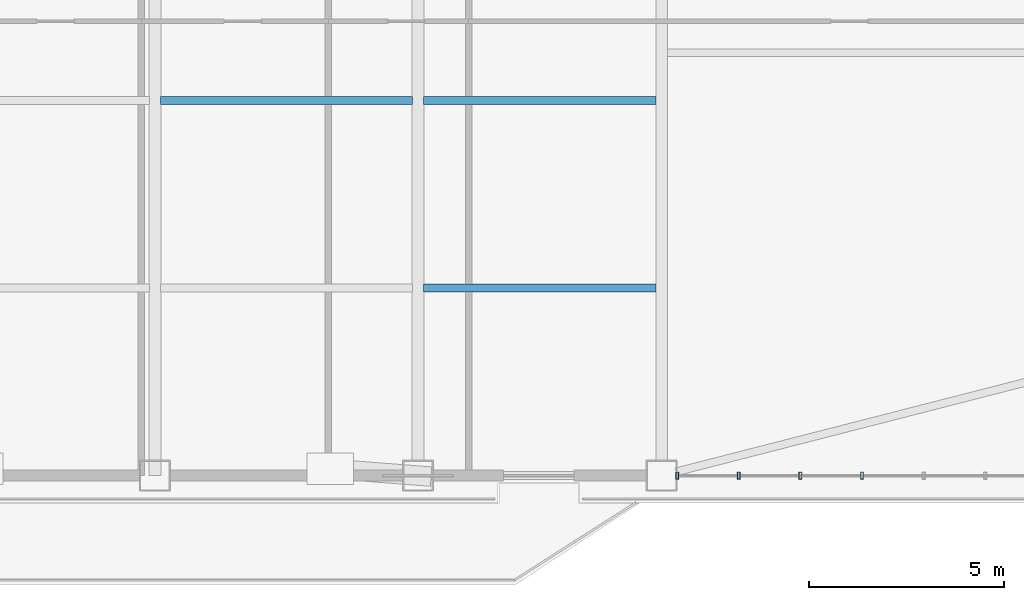
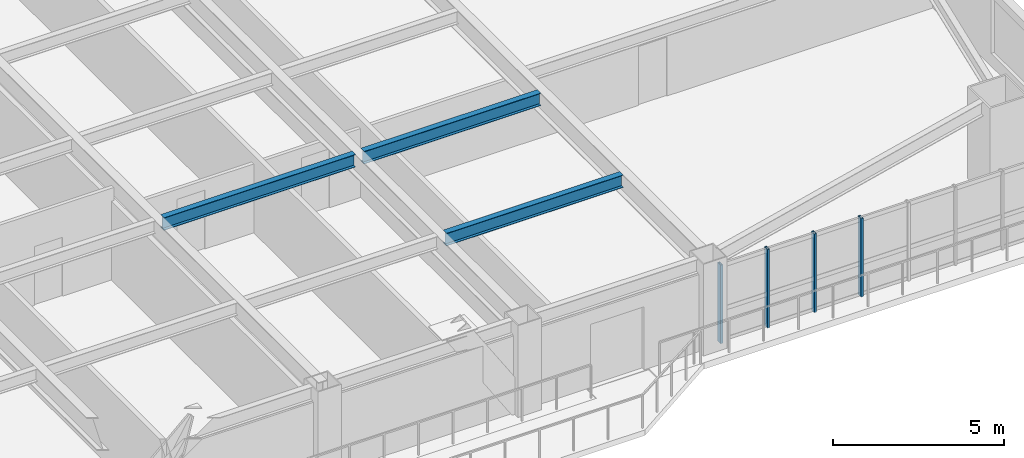
# One storey, part 4 of 15: 4 members, 3 beams, 1 element without a shape of its own.
"""IFC4 building model written with IfcOpenShell, lengths in metres."""

from ifc_helpers import new_model, si_unit, direction, frame, origin, origin_2d, place, context, subcontext, project, spatial, hollow_rectangle, i_section, extrude, source, transform, mapped, material, layer, layer_set, material_profile, profile_set, type_object, element, aggregate, save


model = new_model("IFC4")

# Units and contexts
model_context = context("Model", 3, precision=1e-05, world=origin(), true_north=direction((0.0, 1.0)))
body_context = subcontext(model_context, "Body", "Model", "MODEL_VIEW")
ifc_project = project(units=[si_unit("LENGTHUNIT", "METRE"), si_unit("AREAUNIT", "SQUARE_METRE"), si_unit("VOLUMEUNIT", "CUBIC_METRE"), si_unit("PLANEANGLEUNIT", "RADIAN"), si_unit("MASSUNIT", "GRAM", prefix="KILO")], contexts=[model_context])

# Site, building, storey
site_placement = place(None, origin())
site = spatial("IfcSite", under=ifc_project, at=site_placement, CompositionType="ELEMENT")
building_placement = place(site_placement, origin())
building = spatial("IfcBuilding", under=site, at=building_placement, Name="Giltprow Tower", CompositionType="ELEMENT")
storey_placement = place(building_placement, frame((0.0, 0.0, 149.199951171875)))
storey = spatial("IfcBuildingStorey", under=building, at=storey_placement, Name="L36", CompositionType="ELEMENT", Elevation=149.199951171875)

# Beams
ifc_material_1 = material(Name="Structural steel Q355B", Category="steel")
ifc_material_profile_1 = material_profile(ifc_material_1, i_section(OverallWidth=0.199951171875, OverallDepth=0.449951171875, WebThickness=0.009033203125, FlangeThickness=0.013916015625, at=origin_2d()), Name="HN 450x200x9x14")
ifc_profile_set_1 = profile_set([ifc_material_profile_1], Name="Structural steel Q355B")
beam_type = type_object("IfcBeamType", Name="BM-JOIST-HN450", PredefinedType="JOIST", material=ifc_profile_set_1)
shared_shape_1 = source(origin(), body_context, "Body", "SweptSolid", [
    extrude(i_section(OverallWidth=0.199951171875, OverallDepth=0.449951171875, WebThickness=0.009033203125, FlangeThickness=0.013916015625, at=origin_2d()), origin(), (0.0, 0.0, 1.0), 6.4599609375),
])
beam_placement = place(storey_placement, frame((37.695068359375, 18.197998046875, 3.045166015625), z_axis=(1.0, 0.0, 0.0), x_axis=(0.0, 1.0, 0.0)))
element("IfcBeam", 1, at=beam_placement, inside=storey, type_object=beam_type, Name="L36 Composite Floor Joist 2-3", PredefinedType="JOIST", context=body_context, shape_type="MappedRepresentation", body=[
    mapped(shared_shape_1, transform((0.0, 0.0, 0.0), x_axis=(1.0, 0.0, 0.0), y_axis=(0.0, 1.0, 0.0), z_axis=(0.0, 0.0, 1.0), scale=1.0)),
])
shared_shape_2 = source(origin(), body_context, "Body", "SweptSolid", [
    extrude(i_section(OverallWidth=0.199951171875, OverallDepth=0.449951171875, WebThickness=0.009033203125, FlangeThickness=0.013916015625, at=origin_2d()), origin(), (0.0, 0.0, 1.0), 5.9599609375),
])
for number, where, z_axis, x_axis, name in (
    (2, (44.445068359375, 13.385009765625, 3.045166015625), (1.0, 0.0, 0.0), (0.0, 1.0, 0.0), "L36 Composite Floor Joist 1-4"),
    (3, (44.445068359375, 18.197998046875, 3.045166015625), (1.0, 0.0, 0.0), (0.0, 1.0, 0.0), "L36 Composite Floor Joist 2-4"),
):
    element("IfcBeam", number, at=place(storey_placement, frame(where, z_axis=z_axis, x_axis=x_axis)), inside=storey, type_object=beam_type, Name=name, PredefinedType="JOIST", context=body_context, shape_type="MappedRepresentation", body=[
        mapped(shared_shape_2, transform((0.0, 0.0, 0.0), x_axis=(1.0, 0.0, 0.0), y_axis=(0.0, 1.0, 0.0), z_axis=(0.0, 0.0, 1.0), scale=1.0)),
    ])

# Curtain wall, members
ifc_material_2 = material(Name="Anodized bronze", Category="metal")
ifc_layer = layer(ifc_material_2, 0.179931640625, Name="Anodized bronze")
ifc_layer_set = layer_set([ifc_layer], Name="Anodized bronze")
curtain_wall_type = type_object("IfcCurtainWallType", Name="CW-HTL-BRONZE", PredefinedType="NOTDEFINED", material=ifc_layer_set)
curtain_wall_placement = place(storey_placement, origin())
curtain_wall = element("IfcCurtainWall", 4, at=curtain_wall_placement, inside=storey, type_object=curtain_wall_type, Name="L36 South Recessed Curtain Wall 6", PredefinedType="NOTDEFINED")
ifc_material_profile_2 = material_profile(ifc_material_2, hollow_rectangle(XDim=0.074951171875, YDim=0.179931640625, WallThickness=0.008056640625, at=origin_2d()), Name="RHS 180x75x8")
ifc_profile_set_2 = profile_set([ifc_material_profile_2], Name="Anodized bronze")
member_type = type_object("IfcMemberType", Name="CW-MULLION-180x75", PredefinedType="MULLION", material=ifc_profile_set_2)
shared_shape_3 = source(origin(), body_context, "Body", "SweptSolid", [
    extrude(hollow_rectangle(XDim=0.074951171875, YDim=0.179931640625, WallThickness=0.008056640625, at=origin_2d()), origin(), (0.0, 0.0, 1.0), 2.80517578125),
])
member_1_placement = place(storey_placement, frame((50.949951171875, 8.572021484375, -0.02001953125), z_axis=(0.0, 0.0, 1.0), x_axis=(1.0, 0.0, 0.0)))
member_1 = element("IfcMember", 5, at=member_1_placement, type_object=member_type, Name="L36 South Recessed Curtain Wall 6 Mullion 1", PredefinedType="MULLION", context=body_context, shape_type="MappedRepresentation", body=[
    mapped(shared_shape_3, transform((0.0, 0.0, 0.0), x_axis=(1.0, 0.0, 0.0), y_axis=(0.0, 1.0, 0.0), z_axis=(0.0, 0.0, 1.0), scale=1.0)),
])
member_2_placement = place(storey_placement, frame((52.530029296875, 8.572021484375, -0.02001953125), z_axis=(0.0, 0.0, 1.0), x_axis=(1.0, 0.0, 0.0)))
member_2 = element("IfcMember", 6, at=member_2_placement, type_object=member_type, Name="L36 South Recessed Curtain Wall 6 Mullion 2", PredefinedType="MULLION", context=body_context, shape_type="MappedRepresentation", body=[
    mapped(shared_shape_3, transform((0.0, 0.0, 0.0), x_axis=(1.0, 0.0, 0.0), y_axis=(0.0, 1.0, 0.0), z_axis=(0.0, 0.0, 1.0), scale=1.0)),
])
member_3_placement = place(storey_placement, frame((54.111083984375, 8.572021484375, -0.02001953125), z_axis=(0.0, 0.0, 1.0), x_axis=(1.0, 0.0, 0.0)))
member_3 = element("IfcMember", 7, at=member_3_placement, type_object=member_type, Name="L36 South Recessed Curtain Wall 6 Mullion 3", PredefinedType="MULLION", context=body_context, shape_type="MappedRepresentation", body=[
    mapped(shared_shape_3, transform((0.0, 0.0, 0.0), x_axis=(1.0, 0.0, 0.0), y_axis=(0.0, 1.0, 0.0), z_axis=(0.0, 0.0, 1.0), scale=1.0)),
])
member_4_placement = place(storey_placement, frame((55.69091796875, 8.572021484375, -0.02001953125), z_axis=(0.0, 0.0, 1.0), x_axis=(1.0, 0.0, 0.0)))
member_4 = element("IfcMember", 8, at=member_4_placement, type_object=member_type, Name="L36 South Recessed Curtain Wall 6 Mullion 4", PredefinedType="MULLION", context=body_context, shape_type="MappedRepresentation", body=[
    mapped(shared_shape_3, transform((0.0, 0.0, 0.0), x_axis=(1.0, 0.0, 0.0), y_axis=(0.0, 1.0, 0.0), z_axis=(0.0, 0.0, 1.0), scale=1.0)),
])
aggregate(curtain_wall, [member_1, member_2, member_3, member_4])

save(model, "model.ifc")
